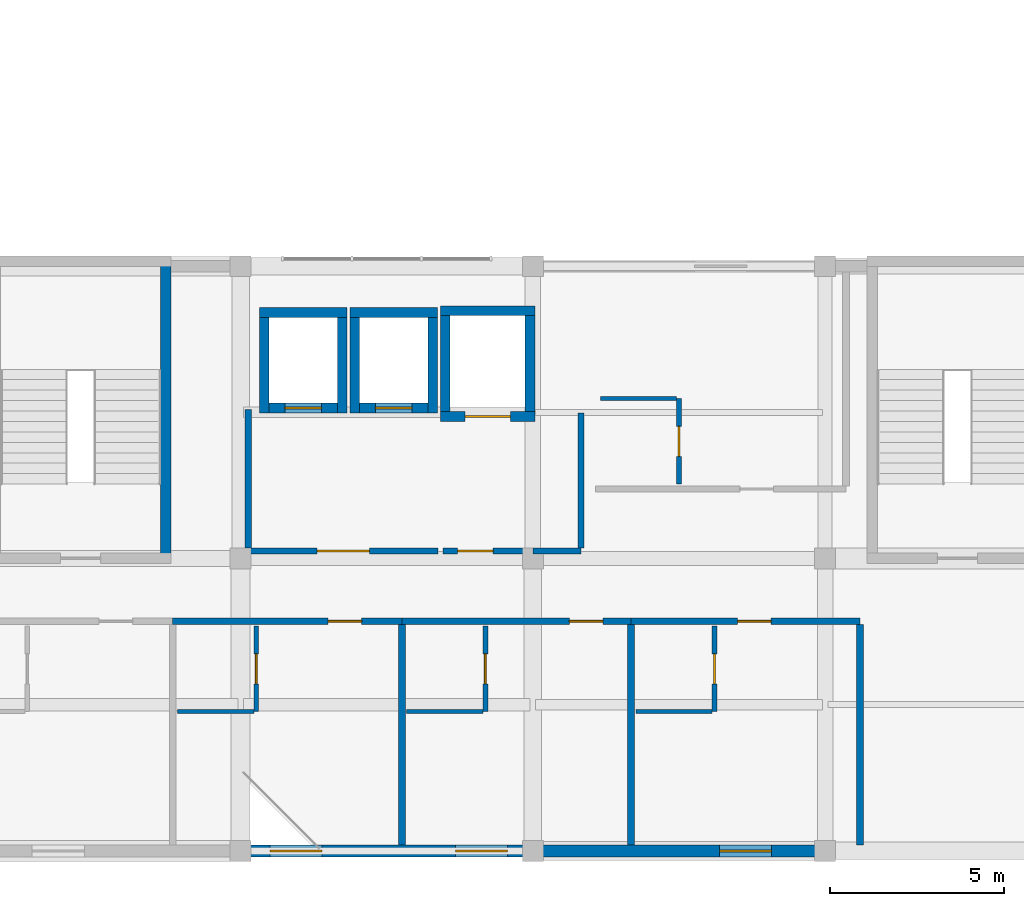
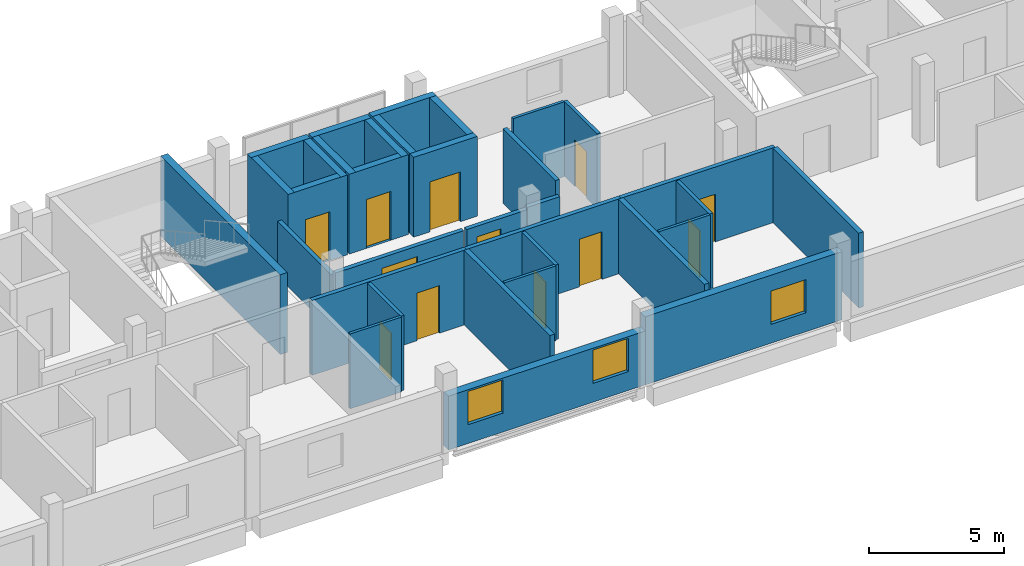
# One storey, part 17 of 24: 34 walls, 12 doors, 3 windows, 15 openings.
"""IFC4 building model written with IfcOpenShell, lengths in metres."""

from ifc_helpers import new_model, si_unit, derived_unit, direction, frame, frame_2d, origin, place, context, subcontext, project, spatial, rectangle, extrude, material, layer, layer_set, type_object, element, fill, save


model = new_model("IFC4")

# Units and contexts
model_context = context("Model", 3, precision=1e-05, world=origin(), true_north=direction((0.0, 1.0)))
body_context = subcontext(model_context, "Body", "Model", "MODEL_VIEW")
ifc_project = project(units=[si_unit("LENGTHUNIT", "METRE"), si_unit("AREAUNIT", "SQUARE_METRE"), si_unit("VOLUMEUNIT", "CUBIC_METRE"), si_unit("PLANEANGLEUNIT", "RADIAN"), si_unit("MASSUNIT", "GRAM", prefix="KILO"), derived_unit("THERMALTRANSMITTANCEUNIT", [(si_unit("POWERUNIT", "WATT"), 1), (si_unit("LENGTHUNIT", "METRE"), -2), (si_unit("THERMODYNAMICTEMPERATUREUNIT", "KELVIN"), -1)])], contexts=[model_context])

# Site, building, storey
site_placement = place(None, origin())
site = spatial("IfcSite", under=ifc_project, at=site_placement, CompositionType="ELEMENT")
building_placement = place(site_placement, origin())
building = spatial("IfcBuilding", under=site, at=building_placement, Name="Barrovel Congress Hotel", CompositionType="ELEMENT")
storey_placement = place(building_placement, frame((0.0, 0.0, 29.10009765625)))
storey = spatial("IfcBuildingStorey", under=building, at=storey_placement, Name="L07", CompositionType="ELEMENT", Elevation=29.10009765625)

# Wall, openings, windows
ifc_material_1 = material(Name="Fired Clay Brick Masonry", Category="masonry")
ifc_layer_1 = layer(ifc_material_1, 0.340087890625)
ifc_layer_set_1 = layer_set([ifc_layer_1], Name="Fired Clay Brick Masonry")
wall_type_1 = type_object("IfcWallType", Name="EW-BRK340", PredefinedType="STANDARD", material=ifc_layer_set_1)
wall_1_placement = place(storey_placement, frame((84.0, 4.199951171875, 0.0), z_axis=(0.0, 0.0, 1.0), x_axis=(1.0, 0.0, 0.0)))
wall_1 = element("IfcWall", 1, at=wall_1_placement, inside=storey, type_object=wall_type_1, Name="EW:L07:HS-S:P08", PredefinedType="STANDARD", context=body_context, shape_type="SweptSolid", body=[
    extrude(rectangle(XDim=8.39990234375, YDim=0.340087890625, at=frame_2d((4.199951171875, 0.0))), origin(), (0.0, 0.0, 1.0), 2.429931640625),
])
opening_1_placement = place(wall_1_placement, frame((0.841796875, 0.0, 0.85009765625)))
opening_1 = element("IfcOpeningElement", 2, at=opening_1_placement, cuts=wall_1, Name="Opening WN-07", PredefinedType="OPENING", context=body_context, shape_type="SweptSolid", body=[
    extrude(rectangle(XDim=1.5, YDim=1.5, at=frame_2d((0.75, 0.75))), frame((0.0, 0.18017578125, 0.0), z_axis=(0.0, -1.0, 0.0), x_axis=(1.0, 0.0, 0.0)), (0.0, 0.0, 1.0), 0.360107421875),
])
opening_2_placement = place(wall_1_placement, frame((6.175048828125, 0.0, 0.85009765625)))
opening_2 = element("IfcOpeningElement", 3, at=opening_2_placement, cuts=wall_1, Name="Opening WN-07", PredefinedType="OPENING", context=body_context, shape_type="SweptSolid", body=[
    extrude(rectangle(XDim=1.5, YDim=1.5, at=frame_2d((0.75, 0.75))), frame((0.0, 0.18017578125, 0.0), z_axis=(0.0, -1.0, 0.0), x_axis=(1.0, 0.0, 0.0)), (0.0, 0.0, 1.0), 0.360107421875),
])
ifc_material_2 = material(Name="Double Low-E Insulated Glazing", Category="glass")
window_type = type_object("IfcWindowType", Name="WIN-WN-07", PartitioningType="SINGLE_PANEL", PredefinedType="WINDOW", material=ifc_material_2)
window_1_placement = place(opening_1_placement, origin())
window_1 = element("IfcWindow", 4, at=window_1_placement, inside=storey, type_object=window_type, Name="WIN:L07:U11", OverallHeight=1.5, OverallWidth=1.5, PartitioningType="SINGLE_PANEL", PredefinedType="WINDOW", context=body_context, shape_type="SweptSolid", body=[
    extrude(rectangle(XDim=1.5, YDim=1.5, at=frame_2d((0.75, 0.75))), frame((0.0, 0.030029296875, 0.0), z_axis=(0.0, -1.0, 0.0), x_axis=(1.0, 0.0, 0.0)), (0.0, 0.0, 1.0), 0.06005859375),
])
fill(opening_1, window_1)
window_2_placement = place(opening_2_placement, origin())
window_2 = element("IfcWindow", 5, at=window_2_placement, inside=storey, type_object=window_type, Name="WIN:L07:U12", OverallHeight=1.5, OverallWidth=1.5, PartitioningType="SINGLE_PANEL", PredefinedType="WINDOW", context=body_context, shape_type="SweptSolid", body=[
    extrude(rectangle(XDim=1.5, YDim=1.5, at=frame_2d((0.75, 0.75))), frame((0.0, 0.030029296875, 0.0), z_axis=(0.0, -1.0, 0.0), x_axis=(1.0, 0.0, 0.0)), (0.0, 0.0, 1.0), 0.06005859375),
])
fill(opening_2, window_2)

# Wall, opening, window
wall_2_placement = place(storey_placement, frame((92.39990234375, 4.199951171875, 0.0), z_axis=(0.0, 0.0, 1.0), x_axis=(1.0, 0.0, 0.0)))
wall_2 = element("IfcWall", 6, at=wall_2_placement, inside=storey, type_object=wall_type_1, Name="EW:L07:HS-S:P09", PredefinedType="STANDARD", context=body_context, shape_type="SweptSolid", body=[
    extrude(rectangle(XDim=8.400146484375, YDim=0.340087890625, at=frame_2d((4.2001953125, 0.0))), origin(), (0.0, 0.0, 1.0), 3.06982421875),
])
opening_3_placement = place(wall_2_placement, frame((5.3583984375, 0.0, 0.85009765625)))
opening_3 = element("IfcOpeningElement", 7, at=opening_3_placement, cuts=wall_2, Name="Opening WN-07", PredefinedType="OPENING", context=body_context, shape_type="SweptSolid", body=[
    extrude(rectangle(XDim=1.5, YDim=1.5, at=frame_2d((0.75, 0.75))), frame((0.0, 0.18017578125, 0.0), z_axis=(0.0, -1.0, 0.0), x_axis=(1.0, 0.0, 0.0)), (0.0, 0.0, 1.0), 0.360107421875),
])
window_3_placement = place(opening_3_placement, origin())
window_3 = element("IfcWindow", 8, at=window_3_placement, inside=storey, type_object=window_type, Name="WIN:L07:U13", OverallHeight=1.5, OverallWidth=1.5, PartitioningType="SINGLE_PANEL", PredefinedType="WINDOW", context=body_context, shape_type="SweptSolid", body=[
    extrude(rectangle(XDim=1.5, YDim=1.5, at=frame_2d((0.75, 0.75))), frame((0.0, 0.030029296875, 0.0), z_axis=(0.0, -1.0, 0.0), x_axis=(1.0, 0.0, 0.0)), (0.0, 0.0, 1.0), 0.06005859375),
])
fill(opening_3, window_3)

# Wall, opening, door
ifc_material_3 = material(Name="Gypsum Acoustic Stud", Category="gypsum")
ifc_layer_2 = layer(ifc_material_3, 0.179931640625)
ifc_layer_set_2 = layer_set([ifc_layer_2], Name="Gypsum Acoustic Stud")
wall_type_2 = type_object("IfcWallType", Name="PW-ACU-180", PredefinedType="PARTITIONING", material=ifc_layer_set_2)
wall_3_placement = place(storey_placement, frame((82.050048828125, 10.800048828125, 0.0), z_axis=(0.0, 0.0, 1.0), x_axis=(1.0, 0.0, 0.0)))
wall_3 = element("IfcWall", 9, at=wall_3_placement, inside=storey, type_object=wall_type_2, Name="PW:L07:U11:COR", PredefinedType="PARTITIONING", context=body_context, shape_type="SweptSolid", body=[
    extrude(rectangle(XDim=6.583251953125, YDim=0.179931640625, at=frame_2d((3.29150390625, 0.0))), origin(), (0.0, 0.0, 1.0), 3.375),
])
opening_4_placement = place(wall_3_placement, frame((4.468505859375, 0.0, 0.0)))
opening_4 = element("IfcOpeningElement", 10, at=opening_4_placement, cuts=wall_3, Name="Opening ID-HTL", PredefinedType="OPENING", context=body_context, shape_type="SweptSolid", body=[
    extrude(rectangle(XDim=0.9599609375, YDim=2.14990234375, at=frame_2d((0.47998046875, 1.074951171875))), frame((0.0, 0.10009765625, 0.0), z_axis=(0.0, -1.0, 0.0), x_axis=(1.0, 0.0, 0.0)), (0.0, 0.0, 1.0), 0.199951171875),
])
ifc_material_4 = material(Name="Solid Oak Acoustic Timber Door", Category="wood")
door_type_1 = type_object("IfcDoorType", Name="IDR-ID-HTL", OperationType="NOTDEFINED", PredefinedType="DOOR", material=ifc_material_4)
door_1_placement = place(opening_4_placement, origin())
door_1 = element("IfcDoor", 11, at=door_1_placement, inside=storey, type_object=door_type_1, Name="DR:L07:U11:ENT", OperationType="SINGLE_SWING_RIGHT", OverallHeight=2.14990234375, OverallWidth=0.9599609375, PredefinedType="DOOR", context=body_context, shape_type="SweptSolid", body=[
    extrude(rectangle(XDim=0.9599609375, YDim=2.14990234375, at=frame_2d((0.47998046875, 1.074951171875))), frame((0.0, 0.02490234375, 0.0), z_axis=(0.0, -1.0, 0.0), x_axis=(1.0, 0.0, 0.0)), (0.0, 0.0, 1.0), 0.050048828125),
])
fill(opening_4, door_1)

wall_4_placement = place(storey_placement, frame((88.63330078125, 10.800048828125, 0.0), z_axis=(0.0, 0.0, 1.0), x_axis=(1.0, 0.0, 0.0)))
wall_4 = element("IfcWall", 12, at=wall_4_placement, inside=storey, type_object=wall_type_2, Name="PW:L07:U12:COR", PredefinedType="PARTITIONING", context=body_context, shape_type="SweptSolid", body=[
    extrude(rectangle(XDim=6.58349609375, YDim=0.179931640625, at=frame_2d((3.291748046875, 0.0))), origin(), (0.0, 0.0, 1.0), 3.375),
])
opening_5_placement = place(wall_4_placement, frame((4.818603515625, 0.0, 0.0)))
opening_5 = element("IfcOpeningElement", 13, at=opening_5_placement, cuts=wall_4, Name="Opening ID-HTL", PredefinedType="OPENING", context=body_context, shape_type="SweptSolid", body=[
    extrude(rectangle(XDim=0.9599609375, YDim=2.14990234375, at=frame_2d((0.47998046875, 1.074951171875))), frame((0.0, 0.10009765625, 0.0), z_axis=(0.0, -1.0, 0.0), x_axis=(1.0, 0.0, 0.0)), (0.0, 0.0, 1.0), 0.199951171875),
])
door_2_placement = place(opening_5_placement, origin())
door_2 = element("IfcDoor", 14, at=door_2_placement, inside=storey, type_object=door_type_1, Name="DR:L07:U12:ENT", OperationType="SINGLE_SWING_RIGHT", OverallHeight=2.14990234375, OverallWidth=0.9599609375, PredefinedType="DOOR", context=body_context, shape_type="SweptSolid", body=[
    extrude(rectangle(XDim=0.9599609375, YDim=2.14990234375, at=frame_2d((0.47998046875, 1.074951171875))), frame((0.0, 0.02490234375, 0.0), z_axis=(0.0, -1.0, 0.0), x_axis=(1.0, 0.0, 0.0)), (0.0, 0.0, 1.0), 0.050048828125),
])
fill(opening_5, door_2)

wall_5_placement = place(storey_placement, frame((95.216796875, 10.800048828125, 0.0), z_axis=(0.0, 0.0, 1.0), x_axis=(1.0, 0.0, 0.0)))
wall_5 = element("IfcWall", 15, at=wall_5_placement, inside=storey, type_object=wall_type_2, Name="PW:L07:U13:COR", PredefinedType="PARTITIONING", context=body_context, shape_type="SweptSolid", body=[
    extrude(rectangle(XDim=6.583251953125, YDim=0.179931640625, at=frame_2d((3.29150390625, 0.0))), origin(), (0.0, 0.0, 1.0), 3.375),
])
opening_6_placement = place(wall_5_placement, frame((3.068603515625, 0.0, 0.0)))
opening_6 = element("IfcOpeningElement", 16, at=opening_6_placement, cuts=wall_5, Name="Opening ID-HTL", PredefinedType="OPENING", context=body_context, shape_type="SweptSolid", body=[
    extrude(rectangle(XDim=0.9599609375, YDim=2.14990234375, at=frame_2d((0.47998046875, 1.074951171875))), frame((0.0, 0.10009765625, 0.0), z_axis=(0.0, -1.0, 0.0), x_axis=(1.0, 0.0, 0.0)), (0.0, 0.0, 1.0), 0.199951171875),
])
door_3_placement = place(opening_6_placement, origin())
door_3 = element("IfcDoor", 17, at=door_3_placement, inside=storey, type_object=door_type_1, Name="DR:L07:U13:ENT", OperationType="SINGLE_SWING_RIGHT", OverallHeight=2.14990234375, OverallWidth=0.9599609375, PredefinedType="DOOR", context=body_context, shape_type="SweptSolid", body=[
    extrude(rectangle(XDim=0.9599609375, YDim=2.14990234375, at=frame_2d((0.47998046875, 1.074951171875))), frame((0.0, 0.02490234375, 0.0), z_axis=(0.0, -1.0, 0.0), x_axis=(1.0, 0.0, 0.0)), (0.0, 0.0, 1.0), 0.050048828125),
])
fill(opening_6, door_3)

wall_6_placement = place(storey_placement, frame((84.219970703125, 12.820068359375, 0.0), z_axis=(0.0, 0.0, 1.0), x_axis=(1.0, 0.0, 0.0)))
wall_6 = element("IfcWall", 18, at=wall_6_placement, inside=storey, type_object=wall_type_2, Name="RW:SP:L07:LL-C2:S", PredefinedType="PARTITIONING", context=body_context, shape_type="SweptSolid", body=[
    extrude(rectangle(XDim=5.4599609375, YDim=0.179931640625, at=frame_2d((2.72998046875, 0.0))), origin(), (0.0, 0.0, 1.0), 2.6298828125),
])
opening_7_placement = place(wall_6_placement, frame((1.97998046875, 0.0, 0.0)))
opening_7 = element("IfcOpeningElement", 19, at=opening_7_placement, cuts=wall_6, Name="Opening ID-FFL", PredefinedType="OPENING", context=body_context, shape_type="SweptSolid", body=[
    extrude(rectangle(XDim=1.5, YDim=2.14990234375, at=frame_2d((0.75, 1.074951171875))), frame((0.0, 0.10009765625, 0.0), z_axis=(0.0, -1.0, 0.0), x_axis=(1.0, 0.0, 0.0)), (0.0, 0.0, 1.0), 0.199951171875),
])
ifc_material_5 = material(Name="Painted Hollow-Metal Steel Door", Category="steel")
door_type_2 = type_object("IfcDoorType", Name="IDR-ID-FFL", OperationType="NOTDEFINED", PredefinedType="DOOR", material=ifc_material_5)
door_4_placement = place(opening_7_placement, origin())
door_4 = element("IfcDoor", 20, at=door_4_placement, inside=storey, type_object=door_type_2, Name="RD:SP:L07:LL-C2", OperationType="DOUBLE_DOOR_SINGLE_SWING", OverallHeight=2.14990234375, OverallWidth=1.5, PredefinedType="DOOR", context=body_context, shape_type="SweptSolid", body=[
    extrude(rectangle(XDim=1.5, YDim=2.14990234375, at=frame_2d((0.75, 1.074951171875))), frame((0.0, 0.02490234375, 0.0), z_axis=(0.0, -1.0, 0.0), x_axis=(1.0, 0.0, 0.0)), (0.0, 0.0, 1.0), 0.050048828125),
])
fill(opening_7, door_4)

# Wall
wall_7_placement = place(storey_placement, frame((84.219970703125, 12.909912109375, 0.0), z_axis=(0.0, 0.0, 1.0), x_axis=(0.0, 1.0, 0.0)))
element("IfcWall", 21, at=wall_7_placement, inside=storey, type_object=wall_type_2, Name="RW:SP:L07:LL-C2:W", PredefinedType="PARTITIONING", context=body_context, shape_type="SweptSolid", body=[
    extrude(rectangle(XDim=3.969970703125, YDim=0.179931640625, at=frame_2d((1.98486328125, 0.0))), origin(), (0.0, 0.0, 1.0), 2.47998046875),
])

# Wall, opening, door
wall_8_placement = place(storey_placement, frame((89.820068359375, 12.820068359375, 0.0), z_axis=(0.0, 0.0, 1.0), x_axis=(1.0, 0.0, 0.0)))
wall_8 = element("IfcWall", 22, at=wall_8_placement, inside=storey, type_object=wall_type_2, Name="RW:SP:L07:LL-SL2:S", PredefinedType="PARTITIONING", context=body_context, shape_type="SweptSolid", body=[
    extrude(rectangle(XDim=2.579833984375, YDim=0.179931640625, at=frame_2d((1.2900390625, 0.0))), origin(), (0.0, 0.0, 1.0), 2.6298828125),
])
opening_8_placement = place(wall_8_placement, frame((0.419921875, 0.0, 0.0)))
opening_8 = element("IfcOpeningElement", 23, at=opening_8_placement, cuts=wall_8, Name="Opening ID-ACC", PredefinedType="OPENING", context=body_context, shape_type="SweptSolid", body=[
    extrude(rectangle(XDim=1.02001953125, YDim=2.14990234375, at=frame_2d((0.510009765625, 1.074951171875))), frame((0.0, 0.10009765625, 0.0), z_axis=(0.0, -1.0, 0.0), x_axis=(1.0, 0.0, 0.0)), (0.0, 0.0, 1.0), 0.199951171875),
])
door_type_3 = type_object("IfcDoorType", Name="IDR-ID-ACC", OperationType="NOTDEFINED", PredefinedType="DOOR", material=ifc_material_4)
door_5_placement = place(opening_8_placement, origin())
door_5 = element("IfcDoor", 24, at=door_5_placement, inside=storey, type_object=door_type_3, Name="RD:SP:L07:LL-SL2", OperationType="SINGLE_SWING_LEFT", OverallHeight=2.14990234375, OverallWidth=1.02001953125, PredefinedType="DOOR", context=body_context, shape_type="SweptSolid", body=[
    extrude(rectangle(XDim=1.02001953125, YDim=2.14990234375, at=frame_2d((0.510009765625, 1.074951171875))), frame((0.0, 0.02490234375, 0.0), z_axis=(0.0, -1.0, 0.0), x_axis=(1.0, 0.0, 0.0)), (0.0, 0.0, 1.0), 0.050048828125),
])
fill(opening_8, door_5)

# Walls
wall_9_placement = place(storey_placement, frame((93.780029296875, 12.909912109375, 0.0), z_axis=(0.0, 0.0, 1.0), x_axis=(0.0, 1.0, 0.0)))
element("IfcWall", 25, at=wall_9_placement, inside=storey, type_object=wall_type_2, Name="RW:SP:L07:LL-SL2:E", PredefinedType="PARTITIONING", context=body_context, shape_type="SweptSolid", body=[
    extrude(rectangle(XDim=3.8701171875, YDim=0.179931640625, at=frame_2d((1.93505859375, 0.0))), origin(), (0.0, 0.0, 1.0), 3.375),
])
wall_10_placement = place(storey_placement, frame((92.39990234375, 12.820068359375, 0.0), z_axis=(0.0, 0.0, 1.0), x_axis=(1.0, 0.0, 0.0)))
element("IfcWall", 26, at=wall_10_placement, inside=storey, type_object=wall_type_2, Name="RW:SP:L07:LL-SL2:S:P02", PredefinedType="PARTITIONING", context=body_context, shape_type="SweptSolid", body=[
    extrude(rectangle(XDim=1.380126953125, YDim=0.179931640625, at=frame_2d((0.68994140625, 0.0))), origin(), (0.0, 0.0, 1.0), 2.72998046875),
])
ifc_layer_3 = layer(ifc_material_3, 0.1201171875)
ifc_layer_set_3 = layer_set([ifc_layer_3], Name="Gypsum Acoustic Stud")
wall_type_3 = type_object("IfcWallType", Name="PW-INT-120", PredefinedType="PARTITIONING", material=ifc_layer_set_3)
wall_11_placement = place(storey_placement, frame((82.18994140625, 8.199951171875, 0.0), z_axis=(0.0, 0.0, 1.0), x_axis=(1.0, 0.0, 0.0)))
element("IfcWall", 27, at=wall_11_placement, inside=storey, type_object=wall_type_3, Name="PW:L07:U11:B2", PredefinedType="PARTITIONING", context=body_context, shape_type="SweptSolid", body=[
    extrude(rectangle(XDim=2.18994140625, YDim=0.1201171875, at=frame_2d((1.094970703125, 0.0))), origin(), (0.0, 0.0, 1.0), 3.375),
])
wall_12_placement = place(storey_placement, frame((88.773193359375, 8.199951171875, 0.0), z_axis=(0.0, 0.0, 1.0), x_axis=(1.0, 0.0, 0.0)))
element("IfcWall", 28, at=wall_12_placement, inside=storey, type_object=wall_type_3, Name="PW:L07:U12:B2", PredefinedType="PARTITIONING", context=body_context, shape_type="SweptSolid", body=[
    extrude(rectangle(XDim=2.190185546875, YDim=0.1201171875, at=frame_2d((1.09521484375, 0.0))), origin(), (0.0, 0.0, 1.0), 3.375),
])
for number, where, z_axis, x_axis, name in (
    (29, (95.356689453125, 8.199951171875, 0.0), (0.0, 0.0, 1.0), (1.0, 0.0, 0.0), "PW:L07:U13:B2"),
    (30, (94.340087890625, 17.199951171875, 0.0), (0.0, 0.0, 1.0), (1.0, 0.0, 0.0), "PW:L07:U21:B2"),
):
    element("IfcWall", number, at=place(storey_placement, frame(where, z_axis=z_axis, x_axis=x_axis)), inside=storey, type_object=wall_type_3, Name=name, PredefinedType="PARTITIONING", context=body_context, shape_type="SweptSolid", body=[
        extrude(rectangle(XDim=2.18994140625, YDim=0.1201171875, at=frame_2d((1.094970703125, 0.0))), origin(), (0.0, 0.0, 1.0), 3.375),
    ])
ifc_layer_4 = layer(ifc_material_1, 0.199951171875)
ifc_layer_set_4 = layer_set([ifc_layer_4], Name="Fired Clay Brick Masonry")
wall_type_4 = type_object("IfcWallType", Name="PW-MAS-200", PredefinedType="PARTITIONING", material=ifc_layer_set_4)
for number, where, z_axis, x_axis, name in (
    (31, (88.63330078125, 4.3701171875, 0.0), (0.0, 0.0, 1.0), (0.0, 1.0, 0.0), "PW:L07:U11:DEM"),
    (32, (95.216796875, 4.3701171875, 0.0), (0.0, 0.0, 1.0), (0.0, 1.0, 0.0), "PW:L07:U12:DEM"),
    (33, (101.800048828125, 4.3701171875, 0.0), (0.0, 0.0, 1.0), (0.0, 1.0, 0.0), "PW:L07:U13:DEM"),
):
    element("IfcWall", number, at=place(storey_placement, frame(where, z_axis=z_axis, x_axis=x_axis)), inside=storey, type_object=wall_type_4, Name=name, PredefinedType="PARTITIONING", context=body_context, shape_type="SweptSolid", body=[
        extrude(rectangle(XDim=6.33984375, YDim=0.199951171875, at=frame_2d((3.169921875, 0.0))), origin(), (0.0, 0.0, 1.0), 3.375),
    ])

# Wall, opening, door
ifc_material_6 = material(Name="Gypsum Moisture Board", Category="gypsum")
ifc_layer_5 = layer(ifc_material_6, 0.139892578125)
ifc_layer_set_5 = layer_set([ifc_layer_5], Name="Gypsum Moisture Board")
wall_type_5 = type_object("IfcWallType", Name="PW-WET-140", PredefinedType="PARTITIONING", material=ifc_layer_set_5)
wall_13_placement = place(storey_placement, frame((84.449951171875, 8.199951171875, 0.0), z_axis=(0.0, 0.0, 1.0), x_axis=(0.0, 1.0, 0.0)))
wall_13 = element("IfcWall", 34, at=wall_13_placement, inside=storey, type_object=wall_type_5, Name="PW:L07:U11:B1", PredefinedType="PARTITIONING", context=body_context, shape_type="SweptSolid", body=[
    extrude(rectangle(XDim=2.4599609375, YDim=0.139892578125, at=frame_2d((1.22998046875, 0.0))), origin(), (0.0, 0.0, 1.0), 3.375),
])
opening_9_placement = place(wall_13_placement, frame((0.800048828125, 0.0, 0.0)))
opening_9 = element("IfcOpeningElement", 35, at=opening_9_placement, cuts=wall_13, Name="Opening ID-ENS", PredefinedType="OPENING", context=body_context, shape_type="SweptSolid", body=[
    extrude(rectangle(XDim=0.860107421875, YDim=2.10009765625, at=frame_2d((0.43017578125, 1.050048828125))), frame((0.0, 0.080078125, 0.0), z_axis=(0.0, -1.0, 0.0), x_axis=(1.0, 0.0, 0.0)), (0.0, 0.0, 1.0), 0.159912109375),
])
ifc_material_7 = material(Name="Lacquered Timber Moisture Door", Category="wood")
door_type_4 = type_object("IfcDoorType", Name="IDR-ID-ENS", OperationType="NOTDEFINED", PredefinedType="DOOR", material=ifc_material_7)
door_6_placement = place(opening_9_placement, origin())
door_6 = element("IfcDoor", 36, at=door_6_placement, inside=storey, type_object=door_type_4, Name="DR:L07:U11:ENS", OperationType="SINGLE_SWING_LEFT", OverallHeight=2.10009765625, OverallWidth=0.860107421875, PredefinedType="DOOR", context=body_context, shape_type="SweptSolid", body=[
    extrude(rectangle(XDim=0.860107421875, YDim=2.10009765625, at=frame_2d((0.43017578125, 1.050048828125))), frame((0.0, 0.02490234375, 0.0), z_axis=(0.0, -1.0, 0.0), x_axis=(1.0, 0.0, 0.0)), (0.0, 0.0, 1.0), 0.050048828125),
])
fill(opening_9, door_6)

wall_14_placement = place(storey_placement, frame((91.033203125, 8.199951171875, 0.0), z_axis=(0.0, 0.0, 1.0), x_axis=(0.0, 1.0, 0.0)))
wall_14 = element("IfcWall", 37, at=wall_14_placement, inside=storey, type_object=wall_type_5, Name="PW:L07:U12:B1", PredefinedType="PARTITIONING", context=body_context, shape_type="SweptSolid", body=[
    extrude(rectangle(XDim=2.4599609375, YDim=0.139892578125, at=frame_2d((1.22998046875, 0.0))), origin(), (0.0, 0.0, 1.0), 3.375),
])
opening_10_placement = place(wall_14_placement, frame((0.800048828125, 0.0, 0.0)))
opening_10 = element("IfcOpeningElement", 38, at=opening_10_placement, cuts=wall_14, Name="Opening ID-ENS", PredefinedType="OPENING", context=body_context, shape_type="SweptSolid", body=[
    extrude(rectangle(XDim=0.860107421875, YDim=2.10009765625, at=frame_2d((0.43017578125, 1.050048828125))), frame((0.0, 0.080078125, 0.0), z_axis=(0.0, -1.0, 0.0), x_axis=(1.0, 0.0, 0.0)), (0.0, 0.0, 1.0), 0.159912109375),
])
door_7_placement = place(opening_10_placement, origin())
door_7 = element("IfcDoor", 39, at=door_7_placement, inside=storey, type_object=door_type_4, Name="DR:L07:U12:ENS", OperationType="SINGLE_SWING_LEFT", OverallHeight=2.10009765625, OverallWidth=0.860107421875, PredefinedType="DOOR", context=body_context, shape_type="SweptSolid", body=[
    extrude(rectangle(XDim=0.860107421875, YDim=2.10009765625, at=frame_2d((0.43017578125, 1.050048828125))), frame((0.0, 0.02490234375, 0.0), z_axis=(0.0, -1.0, 0.0), x_axis=(1.0, 0.0, 0.0)), (0.0, 0.0, 1.0), 0.050048828125),
])
fill(opening_10, door_7)

wall_15_placement = place(storey_placement, frame((97.61669921875, 8.199951171875, 0.0), z_axis=(0.0, 0.0, 1.0), x_axis=(0.0, 1.0, 0.0)))
wall_15 = element("IfcWall", 40, at=wall_15_placement, inside=storey, type_object=wall_type_5, Name="PW:L07:U13:B1", PredefinedType="PARTITIONING", context=body_context, shape_type="SweptSolid", body=[
    extrude(rectangle(XDim=2.4599609375, YDim=0.139892578125, at=frame_2d((1.22998046875, 0.0))), origin(), (0.0, 0.0, 1.0), 3.375),
])
opening_11_placement = place(wall_15_placement, frame((0.800048828125, 0.0, 0.0)))
opening_11 = element("IfcOpeningElement", 41, at=opening_11_placement, cuts=wall_15, Name="Opening ID-ENS", PredefinedType="OPENING", context=body_context, shape_type="SweptSolid", body=[
    extrude(rectangle(XDim=0.860107421875, YDim=2.10009765625, at=frame_2d((0.43017578125, 1.050048828125))), frame((0.0, 0.080078125, 0.0), z_axis=(0.0, -1.0, 0.0), x_axis=(1.0, 0.0, 0.0)), (0.0, 0.0, 1.0), 0.159912109375),
])
door_8_placement = place(opening_11_placement, origin())
door_8 = element("IfcDoor", 42, at=door_8_placement, inside=storey, type_object=door_type_4, Name="DR:L07:U13:ENS", OperationType="SINGLE_SWING_LEFT", OverallHeight=2.10009765625, OverallWidth=0.860107421875, PredefinedType="DOOR", context=body_context, shape_type="SweptSolid", body=[
    extrude(rectangle(XDim=0.860107421875, YDim=2.10009765625, at=frame_2d((0.43017578125, 1.050048828125))), frame((0.0, 0.02490234375, 0.0), z_axis=(0.0, -1.0, 0.0), x_axis=(1.0, 0.0, 0.0)), (0.0, 0.0, 1.0), 0.050048828125),
])
fill(opening_11, door_8)

wall_16_placement = place(storey_placement, frame((96.60009765625, 14.739990234375, 0.0), z_axis=(0.0, 0.0, 1.0), x_axis=(0.0, 1.0, 0.0)))
wall_16 = element("IfcWall", 43, at=wall_16_placement, inside=storey, type_object=wall_type_5, Name="PW:L07:U21:B1", PredefinedType="PARTITIONING", context=body_context, shape_type="SweptSolid", body=[
    extrude(rectangle(XDim=2.4599609375, YDim=0.139892578125, at=frame_2d((1.22998046875, 0.0))), origin(), (0.0, 0.0, 1.0), 3.375),
])
opening_12_placement = place(wall_16_placement, frame((0.800048828125, 0.0, 0.0)))
opening_12 = element("IfcOpeningElement", 44, at=opening_12_placement, cuts=wall_16, Name="Opening ID-ENS", PredefinedType="OPENING", context=body_context, shape_type="SweptSolid", body=[
    extrude(rectangle(XDim=0.860107421875, YDim=2.10009765625, at=frame_2d((0.43017578125, 1.050048828125))), frame((0.0, 0.080078125, 0.0), z_axis=(0.0, -1.0, 0.0), x_axis=(1.0, 0.0, 0.0)), (0.0, 0.0, 1.0), 0.159912109375),
])
door_9_placement = place(opening_12_placement, origin())
door_9 = element("IfcDoor", 45, at=door_9_placement, inside=storey, type_object=door_type_4, Name="DR:L07:U21:ENS", OperationType="SINGLE_SWING_LEFT", OverallHeight=2.10009765625, OverallWidth=0.860107421875, PredefinedType="DOOR", context=body_context, shape_type="SweptSolid", body=[
    extrude(rectangle(XDim=0.860107421875, YDim=2.10009765625, at=frame_2d((0.43017578125, 1.050048828125))), frame((0.0, 0.02490234375, 0.0), z_axis=(0.0, -1.0, 0.0), x_axis=(1.0, 0.0, 0.0)), (0.0, 0.0, 1.0), 0.050048828125),
])
fill(opening_12, door_9)

ifc_material_8 = material(Name="Concrete C40", Category="concrete")
ifc_layer_6 = layer(ifc_material_8, 0.280029296875)
ifc_layer_set_6 = layer_set([ifc_layer_6], Name="Concrete C40")
wall_type_6 = type_object("IfcWallType", Name="SW-C40-280", PredefinedType="SHEAR", material=ifc_layer_set_6)
wall_17_placement = place(storey_placement, frame((84.5400390625, 16.929931640625, 0.0), z_axis=(0.0, 0.0, 1.0), x_axis=(1.0, 0.0, 0.0)))
wall_17 = element("IfcWall", 46, at=wall_17_placement, inside=storey, type_object=wall_type_6, Name="LSH:PL-3:L07:S", PredefinedType="SHEAR", context=body_context, shape_type="SweptSolid", body=[
    extrude(rectangle(XDim=2.52001953125, YDim=0.280029296875, at=frame_2d((1.260009765625, 0.0))), origin(), (0.0, 0.0, 1.0), 3.599853515625),
])
opening_13_placement = place(wall_17_placement, frame((0.735107421875, 0.0, 0.0)))
opening_13 = element("IfcOpeningElement", 47, at=opening_13_placement, cuts=wall_17, Name="Opening LD-PAX", PredefinedType="OPENING", context=body_context, shape_type="SweptSolid", body=[
    extrude(rectangle(XDim=1.050048828125, YDim=2.199951171875, at=frame_2d((0.52490234375, 1.10009765625))), frame((0.0, 0.14990234375, 0.0), z_axis=(0.0, -1.0, 0.0), x_axis=(1.0, 0.0, 0.0)), (0.0, 0.0, 1.0), 0.300048828125),
])
ifc_material_9 = material(Name="Brushed Stainless Steel", Category="steel")
door_type_5 = type_object("IfcDoorType", Name="IDR-LD-PAX", OperationType="NOTDEFINED", PredefinedType="DOOR", material=ifc_material_9)
door_10_placement = place(opening_13_placement, origin())
door_10 = element("IfcDoor", 48, at=door_10_placement, inside=storey, type_object=door_type_5, Name="Lift Landing Door LD-PL-3-L07", OperationType="SLIDING_TO_LEFT", OverallHeight=2.199951171875, OverallWidth=1.050048828125, PredefinedType="DOOR", context=body_context, shape_type="SweptSolid", body=[
    extrude(rectangle(XDim=1.050048828125, YDim=2.199951171875, at=frame_2d((0.52490234375, 1.10009765625))), frame((0.0, 0.02490234375, 0.0), z_axis=(0.0, -1.0, 0.0), x_axis=(1.0, 0.0, 0.0)), (0.0, 0.0, 1.0), 0.050048828125),
])
fill(opening_13, door_10)

# Walls
wall_18_placement = place(storey_placement, frame((86.919921875, 16.7900390625, 0.0), z_axis=(0.0, 0.0, 1.0), x_axis=(0.0, 1.0, 0.0)))
element("IfcWall", 49, at=wall_18_placement, inside=storey, type_object=wall_type_6, Name="LSH:PL-3:L07:E", PredefinedType="SHEAR", context=body_context, shape_type="SweptSolid", body=[
    extrude(rectangle(XDim=3.02001953125, YDim=0.280029296875, at=frame_2d((1.510009765625, 0.0))), origin(), (0.0, 0.0, 1.0), 3.599853515625),
])
wall_19_placement = place(storey_placement, frame((87.06005859375, 19.669921875, 0.0), z_axis=(0.0, 0.0, 1.0), x_axis=(-1.0, 0.0, 0.0)))
element("IfcWall", 50, at=wall_19_placement, inside=storey, type_object=wall_type_6, Name="LSH:PL-3:L07:N", PredefinedType="SHEAR", context=body_context, shape_type="SweptSolid", body=[
    extrude(rectangle(XDim=2.52001953125, YDim=0.280029296875, at=frame_2d((1.260009765625, 0.0))), origin(), (0.0, 0.0, 1.0), 3.599853515625),
])
wall_20_placement = place(storey_placement, frame((84.679931640625, 19.81005859375, 0.0), z_axis=(0.0, 0.0, 1.0), x_axis=(0.0, -1.0, 0.0)))
element("IfcWall", 51, at=wall_20_placement, inside=storey, type_object=wall_type_6, Name="LSH:PL-3:L07:W", PredefinedType="SHEAR", context=body_context, shape_type="SweptSolid", body=[
    extrude(rectangle(XDim=3.02001953125, YDim=0.280029296875, at=frame_2d((1.510009765625, 0.0))), origin(), (0.0, 0.0, 1.0), 3.599853515625),
])

# Wall, opening, door
wall_21_placement = place(storey_placement, frame((87.139892578125, 16.929931640625, 0.0), z_axis=(0.0, 0.0, 1.0), x_axis=(1.0, 0.0, 0.0)))
wall_21 = element("IfcWall", 52, at=wall_21_placement, inside=storey, type_object=wall_type_6, Name="LSH:PL-4:L07:S", PredefinedType="SHEAR", context=body_context, shape_type="SweptSolid", body=[
    extrude(rectangle(XDim=2.52001953125, YDim=0.280029296875, at=frame_2d((1.260009765625, 0.0))), origin(), (0.0, 0.0, 1.0), 3.599853515625),
])
opening_14_placement = place(wall_21_placement, frame((0.735107421875, 0.0, 0.0)))
opening_14 = element("IfcOpeningElement", 53, at=opening_14_placement, cuts=wall_21, Name="Opening LD-PAX", PredefinedType="OPENING", context=body_context, shape_type="SweptSolid", body=[
    extrude(rectangle(XDim=1.050048828125, YDim=2.199951171875, at=frame_2d((0.52490234375, 1.10009765625))), frame((0.0, 0.14990234375, 0.0), z_axis=(0.0, -1.0, 0.0), x_axis=(1.0, 0.0, 0.0)), (0.0, 0.0, 1.0), 0.300048828125),
])
door_11_placement = place(opening_14_placement, origin())
door_11 = element("IfcDoor", 54, at=door_11_placement, inside=storey, type_object=door_type_5, Name="Lift Landing Door LD-PL-4-L07", OperationType="SLIDING_TO_LEFT", OverallHeight=2.199951171875, OverallWidth=1.050048828125, PredefinedType="DOOR", context=body_context, shape_type="SweptSolid", body=[
    extrude(rectangle(XDim=1.050048828125, YDim=2.199951171875, at=frame_2d((0.52490234375, 1.10009765625))), frame((0.0, 0.02490234375, 0.0), z_axis=(0.0, -1.0, 0.0), x_axis=(1.0, 0.0, 0.0)), (0.0, 0.0, 1.0), 0.050048828125),
])
fill(opening_14, door_11)

# Walls
wall_22_placement = place(storey_placement, frame((89.52001953125, 16.7900390625, 0.0), z_axis=(0.0, 0.0, 1.0), x_axis=(0.0, 1.0, 0.0)))
element("IfcWall", 55, at=wall_22_placement, inside=storey, type_object=wall_type_6, Name="LSH:PL-4:L07:E", PredefinedType="SHEAR", context=body_context, shape_type="SweptSolid", body=[
    extrude(rectangle(XDim=3.02001953125, YDim=0.280029296875, at=frame_2d((1.510009765625, 0.0))), origin(), (0.0, 0.0, 1.0), 3.599853515625),
])
wall_23_placement = place(storey_placement, frame((89.659912109375, 19.669921875, 0.0), z_axis=(0.0, 0.0, 1.0), x_axis=(-1.0, 0.0, 0.0)))
element("IfcWall", 56, at=wall_23_placement, inside=storey, type_object=wall_type_6, Name="LSH:PL-4:L07:N", PredefinedType="SHEAR", context=body_context, shape_type="SweptSolid", body=[
    extrude(rectangle(XDim=2.52001953125, YDim=0.280029296875, at=frame_2d((1.260009765625, 0.0))), origin(), (0.0, 0.0, 1.0), 3.599853515625),
])
wall_24_placement = place(storey_placement, frame((87.280029296875, 19.81005859375, 0.0), z_axis=(0.0, 0.0, 1.0), x_axis=(0.0, -1.0, 0.0)))
element("IfcWall", 57, at=wall_24_placement, inside=storey, type_object=wall_type_6, Name="LSH:PL-4:L07:W", PredefinedType="SHEAR", context=body_context, shape_type="SweptSolid", body=[
    extrude(rectangle(XDim=3.02001953125, YDim=0.280029296875, at=frame_2d((1.510009765625, 0.0))), origin(), (0.0, 0.0, 1.0), 3.599853515625),
])

# Wall, opening, door
wall_25_placement = place(storey_placement, frame((89.739990234375, 16.679931640625, 0.0), z_axis=(0.0, 0.0, 1.0), x_axis=(1.0, 0.0, 0.0)))
wall_25 = element("IfcWall", 58, at=wall_25_placement, inside=storey, type_object=wall_type_6, Name="LSH:SL-2:L07:S", PredefinedType="SHEAR", context=body_context, shape_type="SweptSolid", body=[
    extrude(rectangle(XDim=2.719970703125, YDim=0.280029296875, at=frame_2d((1.35986328125, 0.0))), origin(), (0.0, 0.0, 1.0), 3.599853515625),
])
opening_15_placement = place(wall_25_placement, frame((0.7099609375, 0.0, 0.0)))
opening_15 = element("IfcOpeningElement", 59, at=opening_15_placement, cuts=wall_25, Name="Opening LD-SRV", PredefinedType="OPENING", context=body_context, shape_type="SweptSolid", body=[
    extrude(rectangle(XDim=1.300048828125, YDim=2.25, at=frame_2d((0.64990234375, 1.125))), frame((0.0, 0.14990234375, 0.0), z_axis=(0.0, -1.0, 0.0), x_axis=(1.0, 0.0, 0.0)), (0.0, 0.0, 1.0), 0.300048828125),
])
door_type_6 = type_object("IfcDoorType", Name="IDR-LD-SRV", OperationType="NOTDEFINED", PredefinedType="DOOR", material=ifc_material_9)
door_12_placement = place(opening_15_placement, origin())
door_12 = element("IfcDoor", 60, at=door_12_placement, inside=storey, type_object=door_type_6, Name="Lift Landing Door LD-SL-2-L07", OperationType="SLIDING_TO_LEFT", OverallHeight=2.25, OverallWidth=1.300048828125, PredefinedType="DOOR", context=body_context, shape_type="SweptSolid", body=[
    extrude(rectangle(XDim=1.300048828125, YDim=2.25, at=frame_2d((0.64990234375, 1.125))), frame((0.0, 0.02490234375, 0.0), z_axis=(0.0, -1.0, 0.0), x_axis=(1.0, 0.0, 0.0)), (0.0, 0.0, 1.0), 0.050048828125),
])
fill(opening_15, door_12)

# Walls
wall_26_placement = place(storey_placement, frame((92.320068359375, 16.5400390625, 0.0), z_axis=(0.0, 0.0, 1.0), x_axis=(0.0, 1.0, 0.0)))
element("IfcWall", 61, at=wall_26_placement, inside=storey, type_object=wall_type_6, Name="LSH:SL-2:L07:E", PredefinedType="SHEAR", context=body_context, shape_type="SweptSolid", body=[
    extrude(rectangle(XDim=3.320068359375, YDim=0.280029296875, at=frame_2d((1.66015625, 0.0))), origin(), (0.0, 0.0, 1.0), 3.599853515625),
])
wall_27_placement = place(storey_placement, frame((92.4599609375, 19.719970703125, 0.0), z_axis=(0.0, 0.0, 1.0), x_axis=(-1.0, 0.0, 0.0)))
element("IfcWall", 62, at=wall_27_placement, inside=storey, type_object=wall_type_6, Name="LSH:SL-2:L07:N", PredefinedType="SHEAR", context=body_context, shape_type="SweptSolid", body=[
    extrude(rectangle(XDim=2.719970703125, YDim=0.280029296875, at=frame_2d((1.35986328125, 0.0))), origin(), (0.0, 0.0, 1.0), 3.599853515625),
])
wall_28_placement = place(storey_placement, frame((89.8798828125, 19.860107421875, 0.0), z_axis=(0.0, 0.0, 1.0), x_axis=(0.0, -1.0, 0.0)))
element("IfcWall", 63, at=wall_28_placement, inside=storey, type_object=wall_type_6, Name="LSH:SL-2:L07:W", PredefinedType="SHEAR", context=body_context, shape_type="SweptSolid", body=[
    extrude(rectangle(XDim=3.320068359375, YDim=0.280029296875, at=frame_2d((1.66015625, 0.0))), origin(), (0.0, 0.0, 1.0), 3.599853515625),
])
ifc_layer_7 = layer(ifc_material_8, 0.300048828125)
ifc_layer_set_7 = layer_set([ifc_layer_7], Name="Concrete C40")
wall_type_7 = type_object("IfcWallType", Name="SW-C40-300", PredefinedType="SHEAR", material=ifc_layer_set_7)
wall_29_placement = place(storey_placement, frame((81.85009765625, 12.4599609375, 0.0), z_axis=(0.0, 0.0, 1.0), x_axis=(0.0, 1.0, 0.0)))
element("IfcWall", 64, at=wall_29_placement, inside=storey, type_object=wall_type_7, Name="SHW:XS-02:L07:E", PredefinedType="SHEAR", context=body_context, shape_type="SweptSolid", body=[
    extrude(rectangle(XDim=8.840087890625, YDim=0.300048828125, at=frame_2d((4.419921875, 0.0))), origin(), (0.0, 0.0, 1.0), 3.599853515625),
])

save(model, "model.ifc")
